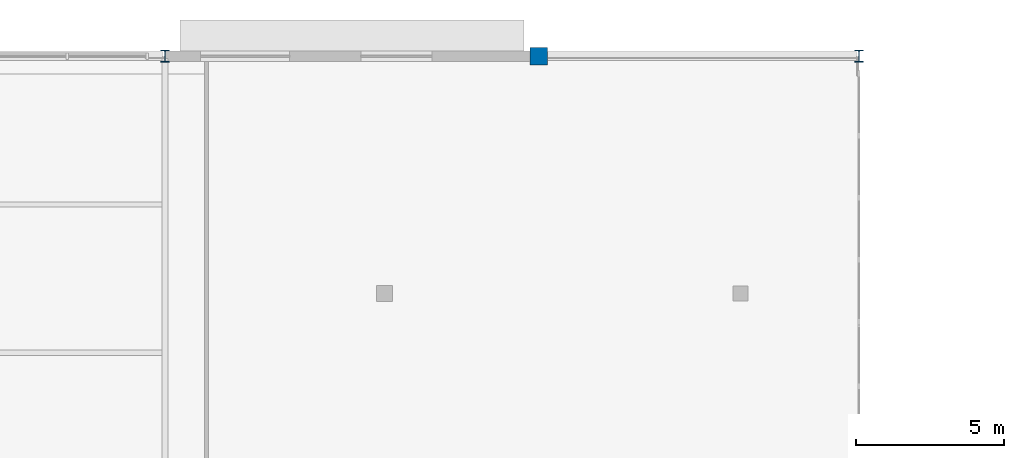
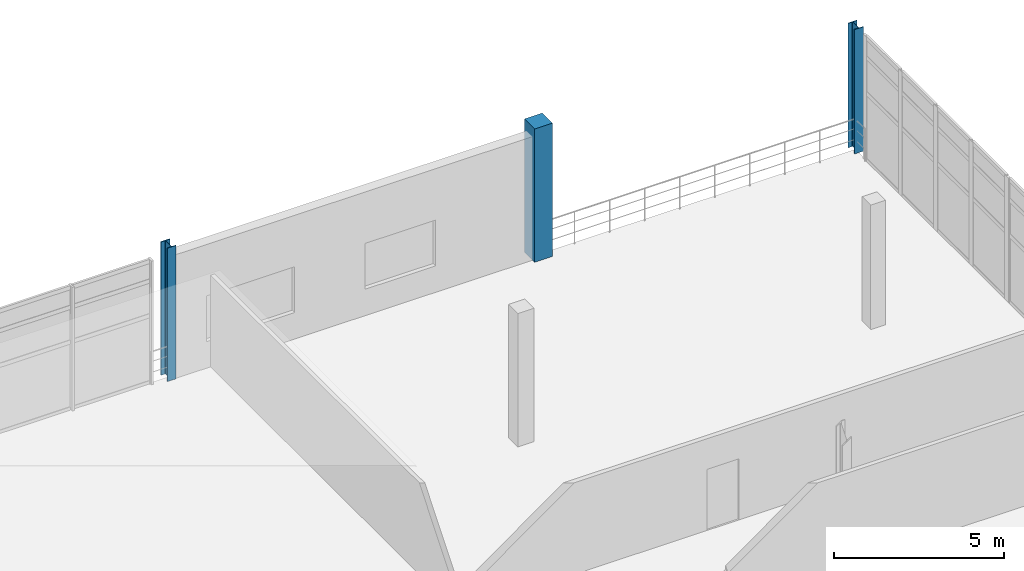
# One storey, part 16 of 52: 3 columns.
"""IFC4 building model written with IfcOpenShell, lengths in metres."""

from ifc_helpers import new_model, si_unit, direction, frame, origin, origin_2d, place, context, subcontext, project, spatial, rectangle, i_section, extrude, material, material_profile, profile_set, type_object, element, save


model = new_model("IFC4")

# Units and contexts
model_context = context("Model", 3, precision=1e-05, world=origin(), true_north=direction((0.0, 1.0)))
body_context = subcontext(model_context, "Body", "Model", "MODEL_VIEW")
ifc_project = project(units=[si_unit("LENGTHUNIT", "METRE"), si_unit("AREAUNIT", "SQUARE_METRE"), si_unit("VOLUMEUNIT", "CUBIC_METRE"), si_unit("PLANEANGLEUNIT", "RADIAN"), si_unit("MASSUNIT", "GRAM", prefix="KILO"), si_unit("THERMODYNAMICTEMPERATUREUNIT", "KELVIN"), si_unit("POWERUNIT", "WATT")], contexts=[model_context])

# Site, building, storey
site_placement = place(None, origin())
site = spatial("IfcSite", under=ifc_project, at=site_placement, CompositionType="ELEMENT")
building_placement = place(site_placement, origin())
building = spatial("IfcBuilding", under=site, at=building_placement, Name="Solmara Park Aquatics Centre", CompositionType="ELEMENT")
storey_placement = place(building_placement, frame((0.0, 0.0, 9.60009765625)))
storey = spatial("IfcBuildingStorey", under=building, at=storey_placement, Name="L02", CompositionType="ELEMENT", Elevation=9.60009765625)

# Columns
ifc_material_1 = material(Name="Structural Steel S355", Category="steel")
ifc_material_profile_1 = material_profile(ifc_material_1, i_section(OverallWidth=0.300048828125, OverallDepth=0.39990234375, WebThickness=0.013427734375, FlangeThickness=0.02392578125, FilletRadius=0.027099609375, at=origin_2d()), Name="HEB 400")
ifc_profile_set_1 = profile_set([ifc_material_profile_1], Name="Structural Steel S355")
column_type_1 = type_object("IfcColumnType", Name="STR-COL-HEB400", PredefinedType="COLUMN", material=ifc_profile_set_1)
column_1_placement = place(storey_placement, frame((96.60009765625, 136.0, 0.0), z_axis=(0.0, 0.0, 1.0), x_axis=(1.0, 0.0, 0.0)))
element("IfcColumn", 1, at=column_1_placement, inside=storey, type_object=column_type_1, Name="Column L02-0524", PredefinedType="COLUMN", context=body_context, shape_type="SweptSolid", body=[
    extrude(i_section(OverallWidth=0.300048828125, OverallDepth=0.39990234375, WebThickness=0.013427734375, FlangeThickness=0.02392578125, FilletRadius=0.027099609375, at=origin_2d()), origin(), (0.0, 0.0, 1.0), 4.7998046875),
])
column_2_placement = place(storey_placement, frame((120.0, 136.0, 0.0), z_axis=(0.0, 0.0, 1.0), x_axis=(1.0, 0.0, 0.0)))
element("IfcColumn", 2, at=column_2_placement, inside=storey, type_object=column_type_1, Name="Column L02-0544", PredefinedType="COLUMN", context=body_context, shape_type="SweptSolid", body=[
    extrude(i_section(OverallWidth=0.300048828125, OverallDepth=0.39990234375, WebThickness=0.013427734375, FlangeThickness=0.02392578125, FilletRadius=0.027099609375, at=origin_2d()), origin(), (0.0, 0.0, 1.0), 4.47998046875),
])
ifc_material_2 = material(Name="Concrete C40/50", Category="concrete")
ifc_material_profile_2 = material_profile(ifc_material_2, rectangle(XDim=0.60009765625, YDim=0.60009765625, at=origin_2d()), Name="RC 600x600")
ifc_profile_set_2 = profile_set([ifc_material_profile_2], Name="Concrete C40/50")
column_type_2 = type_object("IfcColumnType", Name="STR-COL-RC600", PredefinedType="COLUMN", material=ifc_profile_set_2)
column_3_placement = place(storey_placement, frame((109.199951171875, 136.0, 0.0), z_axis=(0.0, 0.0, 1.0), x_axis=(1.0, 0.0, 0.0)))
element("IfcColumn", 3, at=column_3_placement, inside=storey, type_object=column_type_2, Name="Column L02-0533", PredefinedType="COLUMN", context=body_context, shape_type="SweptSolid", body=[
    extrude(rectangle(XDim=0.60009765625, YDim=0.60009765625, at=origin_2d()), origin(), (0.0, 0.0, 1.0), 4.7998046875),
])

save(model, "model.ifc")
